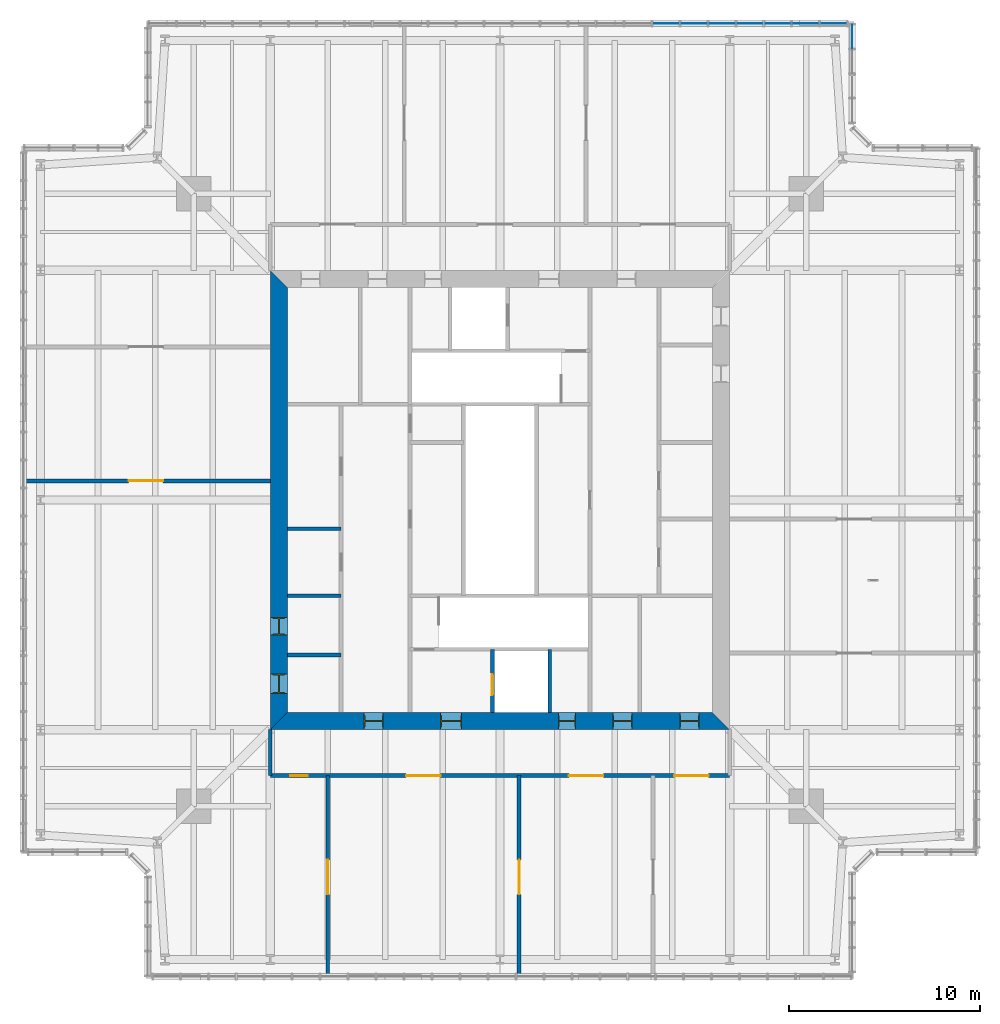
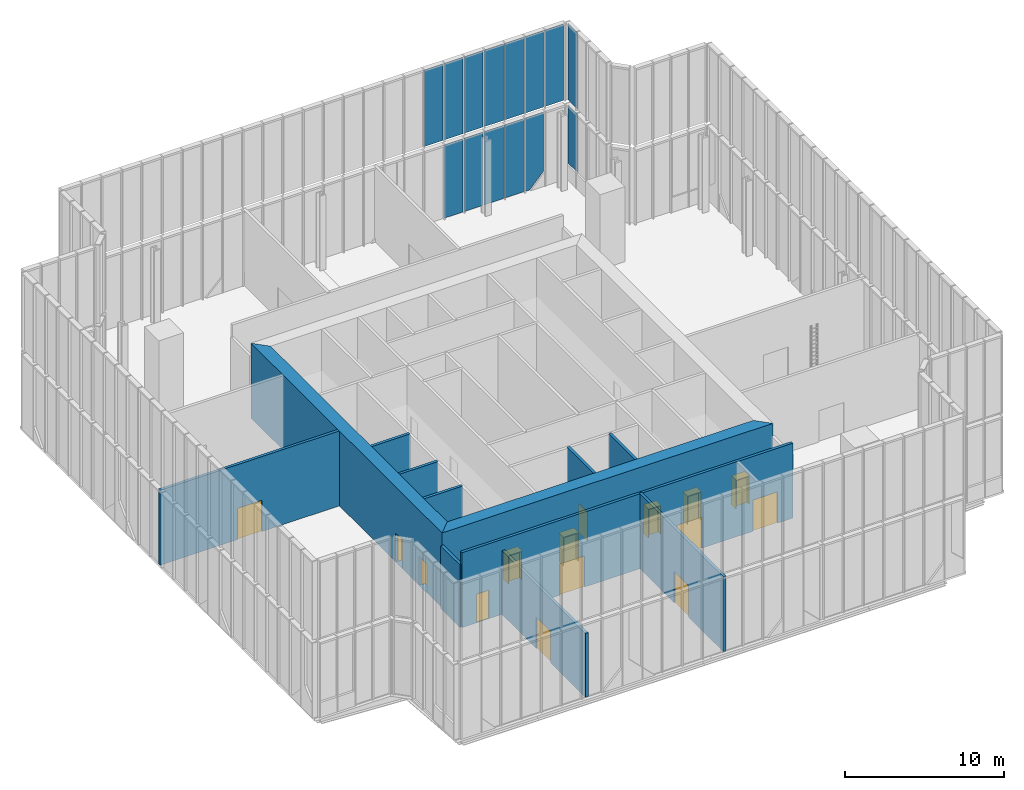
# One storey, part 17 of 25: 15 doors, 14 plates, 12 walls, 15 openings, 4 elements without a shape of their own.
"""IFC4 building model written with IfcOpenShell, lengths in metres."""

from ifc_helpers import new_model, si_unit, direction, frame, frame_2d, origin, origin_2d, place, context, subcontext, project, spatial, polyline, rectangle, outline, extrude, material, layer, layer_set, type_object, element, fill, aggregate, save


model = new_model("IFC4")

# Units and contexts
model_context = context("Model", 3, precision=1e-05, world=origin(), true_north=direction((0.0, 1.0)))
body_context = subcontext(model_context, "Body", "Model", "MODEL_VIEW")
ifc_project = project(units=[si_unit("LENGTHUNIT", "METRE"), si_unit("AREAUNIT", "SQUARE_METRE"), si_unit("VOLUMEUNIT", "CUBIC_METRE"), si_unit("PLANEANGLEUNIT", "RADIAN"), si_unit("MASSUNIT", "GRAM", prefix="KILO")], contexts=[model_context])

# Site, building, storey
site_placement = place(None, origin())
site = spatial("IfcSite", under=ifc_project, at=site_placement, CompositionType="ELEMENT")
building_placement = place(site_placement, origin())
building = spatial("IfcBuilding", under=site, at=building_placement, Name="Fenwick Lantern Interchange", CompositionType="ELEMENT")
storey_placement = place(building_placement, frame((0.0, 0.0, 307.800048828125)))
storey = spatial("IfcBuildingStorey", under=building, at=storey_placement, Name="L74", CompositionType="ELEMENT", Elevation=307.800048828125)

# Curtain wall, plate
ifc_material_1 = material(Name="Aluminium curtain wall frame", Category="aluminium")
curtain_wall_type = type_object("IfcCurtainWallType", Name="LANTERN GLAZING", PredefinedType="USERDEFINED", material=ifc_material_1)
curtain_wall_1_placement = place(storey_placement, origin())
curtain_wall_1 = element("IfcCurtainWall", 1, at=curtain_wall_1_placement, inside=storey, type_object=curtain_wall_type, Name="Lantern glazing 08", ObjectType="LANTERN GLAZING", PredefinedType="USERDEFINED")
ifc_material_2 = material(Name="Lantern glass, fritted laminated single glazing", Category="glass")
ifc_layer_1 = layer(ifc_material_2, 0.02197265625)
ifc_layer_set_1 = layer_set([ifc_layer_1], Name="LANTERN GLAZING PANEL 22")
plate_type = type_object("IfcPlateType", Name="LANTERN GLAZING PANEL 22", PredefinedType="CURTAIN_PANEL", material=ifc_layer_set_1)
plate_1_placement = place(storey_placement, frame((43.39990234375, 44.45849609375, 1.14990234375), z_axis=(0.0, 0.0, 1.0), x_axis=(0.0, 1.0, 0.0)))
plate_1 = element("IfcPlate", 2, at=plate_1_placement, type_object=plate_type, Name="L74/CW/08/P03a", PredefinedType="CURTAIN_PANEL", context=body_context, shape_type="SweptSolid", body=[
    extrude(outline(polyline([(4.151123046875, 0.0), (5.361328125, 0.0), (5.361328125, 4.4599609375), (4.151123046875, 4.4599609375), (4.151123046875, 0.0)])), frame((0.0, 0.010986328125, 0.0), z_axis=(0.0, -1.0, 0.0), x_axis=(1.0, 0.0, 0.0)), (0.0, 0.0, 1.0), 0.02197265625),
])
aggregate(curtain_wall_1, [plate_1])

# Curtain wall, plates
curtain_wall_2_placement = place(storey_placement, origin())
curtain_wall_2 = element("IfcCurtainWall", 3, at=curtain_wall_2_placement, inside=storey, type_object=curtain_wall_type, Name="Lantern glazing 09", ObjectType="LANTERN GLAZING", PredefinedType="USERDEFINED")
plate_2_placement = place(storey_placement, frame((43.39990234375, 49.89990234375, 0.0), z_axis=(0.0, 0.0, 1.0), x_axis=(-1.0, 0.0, 0.0)))
plate_2 = element("IfcPlate", 4, at=plate_2_placement, type_object=plate_type, Name="L74/CW/09/P01a", PredefinedType="CURTAIN_PANEL", context=body_context, shape_type="SweptSolid", body=[
    extrude(outline(polyline([(2.74609375, 0.0), (3.12158203125, 0.0), (3.12158203125, 5.60986328125), (1.74072265625, 5.60986328125), (1.74072265625, 1.096435546875), (2.74609375, 0.0)])), frame((0.0, 0.010986328125, 0.0), z_axis=(0.0, -1.0, 0.0), x_axis=(1.0, 0.0, 0.0)), (0.0, 0.0, 1.0), 0.02197265625),
])
plate_3_placement = place(storey_placement, frame((39.508056640625, 49.89990234375, 0.0), z_axis=(0.0, 0.0, 1.0), x_axis=(-1.0, 0.0, 0.0)))
plate_3 = element("IfcPlate", 5, at=plate_3_placement, type_object=plate_type, Name="L74/CW/09/P02", PredefinedType="CURTAIN_PANEL", context=body_context, shape_type="SweptSolid", body=[
    extrude(rectangle(XDim=1.380859375, YDim=0.02197265625, at=origin_2d()), origin(), (0.0, 0.0, 1.0), 5.610107421875),
])
plate_4_placement = place(storey_placement, frame((38.047119140625, 49.89990234375, 0.0), z_axis=(0.0, 0.0, 1.0), x_axis=(-1.0, 0.0, 0.0)))
plate_4 = element("IfcPlate", 6, at=plate_4_placement, type_object=plate_type, Name="L74/CW/09/P03", PredefinedType="CURTAIN_PANEL", context=body_context, shape_type="SweptSolid", body=[
    extrude(rectangle(XDim=1.380859375, YDim=0.02197265625, at=origin_2d()), origin(), (0.0, 0.0, 1.0), 5.610107421875),
])
plate_5_placement = place(storey_placement, frame((36.58642578125, 49.89990234375, 0.0), z_axis=(0.0, 0.0, 1.0), x_axis=(-1.0, 0.0, 0.0)))
plate_5 = element("IfcPlate", 7, at=plate_5_placement, type_object=plate_type, Name="L74/CW/09/P04", PredefinedType="CURTAIN_PANEL", context=body_context, shape_type="SweptSolid", body=[
    extrude(rectangle(XDim=1.380859375, YDim=0.02197265625, at=origin_2d()), origin(), (0.0, 0.0, 1.0), 5.610107421875),
])
plate_6_placement = place(storey_placement, frame((35.12548828125, 49.89990234375, 0.0), z_axis=(0.0, 0.0, 1.0), x_axis=(-1.0, 0.0, 0.0)))
plate_6 = element("IfcPlate", 8, at=plate_6_placement, type_object=plate_type, Name="L74/CW/09/P05", PredefinedType="CURTAIN_PANEL", context=body_context, shape_type="SweptSolid", body=[
    extrude(rectangle(XDim=1.380859375, YDim=0.02197265625, at=origin_2d()), origin(), (0.0, 0.0, 1.0), 5.610107421875),
])
aggregate(curtain_wall_2, [plate_2, plate_3, plate_4, plate_5, plate_6])

# Curtain wall, plate
curtain_wall_3_placement = place(storey_placement, origin())
curtain_wall_3 = element("IfcCurtainWall", 9, at=curtain_wall_3_placement, inside=storey, type_object=curtain_wall_type, Name="Lantern glazing 08", ObjectType="LANTERN GLAZING", PredefinedType="USERDEFINED")
plate_7_placement = place(storey_placement, frame((43.39990234375, 49.21484375, 6.0), z_axis=(0.0, 0.0, 1.0), x_axis=(0.0, 1.0, 0.0)))
plate_7 = element("IfcPlate", 10, at=plate_7_placement, type_object=plate_type, Name="RF/LANTERN/08/P03", PredefinedType="CURTAIN_PANEL", context=body_context, shape_type="SweptSolid", body=[
    extrude(rectangle(XDim=1.21044921875, YDim=0.02197265625, at=origin_2d()), origin(), (0.0, 0.0, 1.0), 5.860107421875),
])
aggregate(curtain_wall_3, [plate_7])

# Curtain wall, plates
curtain_wall_4_placement = place(storey_placement, origin())
curtain_wall_4 = element("IfcCurtainWall", 11, at=curtain_wall_4_placement, inside=storey, type_object=curtain_wall_type, Name="Lantern glazing 09", ObjectType="LANTERN GLAZING", PredefinedType="USERDEFINED")
plate_8_placement = place(storey_placement, frame((42.4296875, 49.89990234375, 6.0), z_axis=(0.0, 0.0, 1.0), x_axis=(-1.0, 0.0, 0.0)))
plate_8 = element("IfcPlate", 12, at=plate_8_placement, type_object=plate_type, Name="RF/LANTERN/09/P00", PredefinedType="CURTAIN_PANEL", context=body_context, shape_type="SweptSolid", body=[
    extrude(rectangle(XDim=1.380859375, YDim=0.02197265625, at=origin_2d()), origin(), (0.0, 0.0, 1.0), 5.860107421875),
])
plate_9_placement = place(storey_placement, frame((40.96875, 49.89990234375, 6.0), z_axis=(0.0, 0.0, 1.0), x_axis=(-1.0, 0.0, 0.0)))
plate_9 = element("IfcPlate", 13, at=plate_9_placement, type_object=plate_type, Name="RF/LANTERN/09/P01", PredefinedType="CURTAIN_PANEL", context=body_context, shape_type="SweptSolid", body=[
    extrude(rectangle(XDim=1.380859375, YDim=0.02197265625, at=origin_2d()), origin(), (0.0, 0.0, 1.0), 5.860107421875),
])
plate_10_placement = place(storey_placement, frame((39.508056640625, 49.89990234375, 6.0), z_axis=(0.0, 0.0, 1.0), x_axis=(-1.0, 0.0, 0.0)))
plate_10 = element("IfcPlate", 14, at=plate_10_placement, type_object=plate_type, Name="RF/LANTERN/09/P02", PredefinedType="CURTAIN_PANEL", context=body_context, shape_type="SweptSolid", body=[
    extrude(rectangle(XDim=1.380859375, YDim=0.02197265625, at=origin_2d()), origin(), (0.0, 0.0, 1.0), 5.860107421875),
])
plate_11_placement = place(storey_placement, frame((38.047119140625, 49.89990234375, 6.0), z_axis=(0.0, 0.0, 1.0), x_axis=(-1.0, 0.0, 0.0)))
plate_11 = element("IfcPlate", 15, at=plate_11_placement, type_object=plate_type, Name="RF/LANTERN/09/P03", PredefinedType="CURTAIN_PANEL", context=body_context, shape_type="SweptSolid", body=[
    extrude(rectangle(XDim=1.380859375, YDim=0.02197265625, at=origin_2d()), origin(), (0.0, 0.0, 1.0), 5.860107421875),
])
plate_12_placement = place(storey_placement, frame((36.58642578125, 49.89990234375, 6.0), z_axis=(0.0, 0.0, 1.0), x_axis=(-1.0, 0.0, 0.0)))
plate_12 = element("IfcPlate", 16, at=plate_12_placement, type_object=plate_type, Name="RF/LANTERN/09/P04", PredefinedType="CURTAIN_PANEL", context=body_context, shape_type="SweptSolid", body=[
    extrude(rectangle(XDim=1.380859375, YDim=0.02197265625, at=origin_2d()), origin(), (0.0, 0.0, 1.0), 5.860107421875),
])
plate_13_placement = place(storey_placement, frame((35.12548828125, 49.89990234375, 6.0), z_axis=(0.0, 0.0, 1.0), x_axis=(-1.0, 0.0, 0.0)))
plate_13 = element("IfcPlate", 17, at=plate_13_placement, type_object=plate_type, Name="RF/LANTERN/09/P05", PredefinedType="CURTAIN_PANEL", context=body_context, shape_type="SweptSolid", body=[
    extrude(rectangle(XDim=1.380859375, YDim=0.02197265625, at=origin_2d()), origin(), (0.0, 0.0, 1.0), 5.860107421875),
])
plate_14_placement = place(storey_placement, frame((33.664794921875, 49.89990234375, 6.0), z_axis=(0.0, 0.0, 1.0), x_axis=(-1.0, 0.0, 0.0)))
plate_14 = element("IfcPlate", 18, at=plate_14_placement, type_object=plate_type, Name="RF/LANTERN/09/P06", PredefinedType="CURTAIN_PANEL", context=body_context, shape_type="SweptSolid", body=[
    extrude(rectangle(XDim=1.380859375, YDim=0.02197265625, at=origin_2d()), origin(), (0.0, 0.0, 1.0), 5.860107421875),
])
aggregate(curtain_wall_4, [plate_8, plate_9, plate_10, plate_11, plate_12, plate_13, plate_14])

# Wall, opening, door
ifc_material_3 = material(Name="Concrete masonry ASTM C90 Grade N", Category="masonry")
ifc_layer_2 = layer(ifc_material_3, 0.199951171875)
ifc_layer_set_2 = layer_set([ifc_layer_2], Name="Concrete masonry ASTM C90 Grade N")
wall_type_1 = type_object("IfcWallType", Name="CORE PARTITION 200", PredefinedType="PARTITIONING", material=ifc_layer_set_2)
wall_1_placement = place(storey_placement, frame((24.60009765625, 13.89990234375, 0.0), z_axis=(0.0, 0.0, 1.0), x_axis=(0.0, 1.0, 0.0)))
wall_1 = element("IfcWall", 19, at=wall_1_placement, inside=storey, type_object=wall_type_1, Name="L74/W/CORES/h1", PredefinedType="PARTITIONING", context=body_context, shape_type="SweptSolid", body=[
    extrude(rectangle(XDim=3.300048828125, YDim=0.199951171875, at=frame_2d((1.64990234375, 0.0))), origin(), (0.0, 0.0, 1.0), 5.75),
])
opening_1_placement = place(wall_1_placement, frame((0.89990234375, 0.0, 0.0)))
opening_1 = element("IfcOpeningElement", 20, at=opening_1_placement, cuts=wall_1, Name="Opening LD-FL1", PredefinedType="OPENING", context=body_context, shape_type="SweptSolid", body=[
    extrude(rectangle(XDim=1.10009765625, YDim=2.199951171875, at=frame_2d((0.550048828125, 1.10009765625))), frame((0.0, 0.10986328125, 0.0), z_axis=(0.0, -1.0, 0.0), x_axis=(1.0, 0.0, 0.0)), (0.0, 0.0, 1.0), 0.219970703125),
])
ifc_material_4 = material(Name="Steel door and frame", Category="steel")
door_type_1 = type_object("IfcDoorType", Name="LIFT LANDING DOOR 1100 X 2200", OperationType="DOUBLE_DOOR_SLIDING", PredefinedType="DOOR", material=ifc_material_4)
door_1_placement = place(opening_1_placement, origin())
door_1 = element("IfcDoor", 21, at=door_1_placement, inside=storey, type_object=door_type_1, Name="Lift landing door FL1", OperationType="DOUBLE_DOOR_SLIDING", OverallHeight=2.199951171875, OverallWidth=1.10009765625, PredefinedType="DOOR", context=body_context, shape_type="SweptSolid", body=[
    extrude(rectangle(XDim=1.10009765625, YDim=2.199951171875, at=frame_2d((0.550048828125, 1.10009765625))), frame((0.0, 0.02490234375, 0.0), z_axis=(0.0, -1.0, 0.0), x_axis=(1.0, 0.0, 0.0)), (0.0, 0.0, 1.0), 0.050048828125),
])
fill(opening_1, door_1)

# Walls
wall_2_placement = place(storey_placement, frame((27.60009765625, 13.89990234375, 0.0), z_axis=(0.0, 0.0, 1.0), x_axis=(0.0, 1.0, 0.0)))
element("IfcWall", 22, at=wall_2_placement, inside=storey, type_object=wall_type_1, Name="L74/W/CORES/h2", PredefinedType="PARTITIONING", context=body_context, shape_type="SweptSolid", body=[
    extrude(rectangle(XDim=3.300048828125, YDim=0.199951171875, at=frame_2d((1.64990234375, 0.0))), origin(), (0.0, 0.0, 1.0), 5.75),
])
for number, where, z_axis, x_axis, name in (
    (23, (13.89990234375, 16.89990234375, 0.0), (0.0, 0.0, 1.0), (1.0, 0.0, 0.0), "L74/W/CORES/p1"),
    (24, (13.89990234375, 20.0, 0.0), (0.0, 0.0, 1.0), (1.0, 0.0, 0.0), "L74/W/CORES/p2"),
    (25, (13.89990234375, 23.5, 0.0), (0.0, 0.0, 1.0), (1.0, 0.0, 0.0), "L74/W/CORES/p3"),
):
    element("IfcWall", number, at=place(storey_placement, frame(where, z_axis=z_axis, x_axis=x_axis)), inside=storey, type_object=wall_type_1, Name=name, PredefinedType="PARTITIONING", context=body_context, shape_type="SweptSolid", body=[
        extrude(rectangle(XDim=2.800048828125, YDim=0.199951171875, at=frame_2d((1.39990234375, 0.0))), origin(), (0.0, 0.0, 1.0), 5.75),
    ])

# Wall, openings, doors
ifc_material_5 = material(Name="Concrete f'c 70 MPa", Category="concrete")
ifc_layer_3 = layer(ifc_material_5, 0.89990234375)
ifc_layer_set_3 = layer_set([ifc_layer_3], Name="CORE WALL 900")
wall_type_2 = type_object("IfcWallType", Name="CORE WALL 900", PredefinedType="SHEAR", material=ifc_layer_set_3)
wall_3_placement = place(storey_placement, frame((13.0, 13.449951171875, 0.0), z_axis=(0.0, 0.0, 1.0), x_axis=(1.0, 0.0, 0.0)))
wall_3 = element("IfcWall", 26, at=wall_3_placement, inside=storey, type_object=wall_type_2, Name="L74/CORE/S", PredefinedType="SHEAR", context=body_context, shape_type="SweptSolid", body=[
    extrude(outline(polyline([(0.0, -0.449951171875), (24.0, -0.449951171875), (23.10009765625, 0.449951171875), (0.89990234375, 0.449951171875), (0.0, -0.449951171875)])), origin(), (0.0, 0.0, 1.0), 5.75),
])
opening_2_placement = place(wall_3_placement, frame((4.89990234375, 0.0, 0.0)))
opening_2 = element("IfcOpeningElement", 27, at=opening_2_placement, cuts=wall_3, Name="Opening L74-D001", PredefinedType="OPENING", context=body_context, shape_type="SweptSolid", body=[
    extrude(rectangle(XDim=1.0, YDim=2.199951171875, at=frame_2d((0.5, 1.10009765625))), frame((0.0, 0.4599609375, 0.0), z_axis=(0.0, -1.0, 0.0), x_axis=(1.0, 0.0, 0.0)), (0.0, 0.0, 1.0), 0.919921875),
])
opening_3_placement = place(wall_3_placement, frame((8.89990234375, 0.0, 0.0)))
opening_3 = element("IfcOpeningElement", 28, at=opening_3_placement, cuts=wall_3, Name="Opening L74-D002", PredefinedType="OPENING", context=body_context, shape_type="SweptSolid", body=[
    extrude(rectangle(XDim=1.10009765625, YDim=2.199951171875, at=frame_2d((0.550048828125, 1.10009765625))), frame((0.0, 0.4599609375, 0.0), z_axis=(0.0, -1.0, 0.0), x_axis=(1.0, 0.0, 0.0)), (0.0, 0.0, 1.0), 0.919921875),
])
opening_4_placement = place(wall_3_placement, frame((15.050048828125, 0.0, 0.0)))
opening_4 = element("IfcOpeningElement", 29, at=opening_4_placement, cuts=wall_3, Name="Opening L74-D004", PredefinedType="OPENING", context=body_context, shape_type="SweptSolid", body=[
    extrude(rectangle(XDim=0.89990234375, YDim=2.199951171875, at=frame_2d((0.449951171875, 1.10009765625))), frame((0.0, 0.4599609375, 0.0), z_axis=(0.0, -1.0, 0.0), x_axis=(1.0, 0.0, 0.0)), (0.0, 0.0, 1.0), 0.919921875),
])
opening_5_placement = place(wall_3_placement, frame((17.89990234375, 0.0, 0.0)))
opening_5 = element("IfcOpeningElement", 30, at=opening_5_placement, cuts=wall_3, Name="Opening L74-D005", PredefinedType="OPENING", context=body_context, shape_type="SweptSolid", body=[
    extrude(rectangle(XDim=1.0, YDim=2.199951171875, at=frame_2d((0.5, 1.10009765625))), frame((0.0, 0.4599609375, 0.0), z_axis=(0.0, -1.0, 0.0), x_axis=(1.0, 0.0, 0.0)), (0.0, 0.0, 1.0), 0.919921875),
])
opening_6_placement = place(wall_3_placement, frame((21.39990234375, 0.0, 0.0)))
opening_6 = element("IfcOpeningElement", 31, at=opening_6_placement, cuts=wall_3, Name="Opening L74-D006", PredefinedType="OPENING", context=body_context, shape_type="SweptSolid", body=[
    extrude(rectangle(XDim=1.0, YDim=2.199951171875, at=frame_2d((0.5, 1.10009765625))), frame((0.0, 0.4599609375, 0.0), z_axis=(0.0, -1.0, 0.0), x_axis=(1.0, 0.0, 0.0)), (0.0, 0.0, 1.0), 0.919921875),
])
door_type_2 = type_object("IfcDoorType", Name="CORE LOBBY DOOR 1000 X 2200", OperationType="SINGLE_SWING_LEFT", PredefinedType="DOOR", material=ifc_material_4)
door_2_placement = place(opening_2_placement, origin())
door_2 = element("IfcDoor", 32, at=door_2_placement, inside=storey, type_object=door_type_2, Name="Core lobby door", OperationType="SINGLE_SWING_LEFT", OverallHeight=2.199951171875, OverallWidth=1.0, PredefinedType="DOOR", context=body_context, shape_type="SweptSolid", body=[
    extrude(rectangle(XDim=1.0, YDim=2.199951171875, at=frame_2d((0.5, 1.10009765625))), frame((0.0, 0.02490234375, 0.0), z_axis=(0.0, -1.0, 0.0), x_axis=(1.0, 0.0, 0.0)), (0.0, 0.0, 1.0), 0.050048828125),
    extrude(outline(polyline([(0.0, 0.0), (0.0400390625, 0.0), (0.0400390625, 2.159912109375), (0.9599609375, 2.159912109375), (0.9599609375, 0.0), (1.0, 0.0), (1.0, 2.199951171875), (0.0, 2.199951171875), (0.0, 0.0)])), frame((0.0, 0.300048828125, 0.0), z_axis=(0.0, -1.0, 0.0), x_axis=(1.0, 0.0, 0.0)), (0.0, 0.0, 1.0), 0.60009765625),
])
fill(opening_2, door_2)
door_type_3 = type_object("IfcDoorType", Name="FIRE LOBBY DOOR 1100 X 2200", OperationType="SINGLE_SWING_LEFT", PredefinedType="DOOR", material=ifc_material_4)
door_3_placement = place(opening_3_placement, origin())
door_3 = element("IfcDoor", 33, at=door_3_placement, inside=storey, type_object=door_type_3, Name="Fire lobby door", OperationType="SINGLE_SWING_LEFT", OverallHeight=2.199951171875, OverallWidth=1.10009765625, PredefinedType="DOOR", context=body_context, shape_type="SweptSolid", body=[
    extrude(rectangle(XDim=1.10009765625, YDim=2.199951171875, at=frame_2d((0.550048828125, 1.10009765625))), frame((0.0, 0.02490234375, 0.0), z_axis=(0.0, -1.0, 0.0), x_axis=(1.0, 0.0, 0.0)), (0.0, 0.0, 1.0), 0.050048828125),
    extrude(outline(polyline([(0.0, 0.0), (0.0400390625, 0.0), (0.0400390625, 2.159912109375), (1.06005859375, 2.159912109375), (1.06005859375, 0.0), (1.10009765625, 0.0), (1.10009765625, 2.199951171875), (0.0, 2.199951171875), (0.0, 0.0)])), frame((0.0, 0.300048828125, 0.0), z_axis=(0.0, -1.0, 0.0), x_axis=(1.0, 0.0, 0.0)), (0.0, 0.0, 1.0), 0.60009765625),
])
fill(opening_3, door_3)
door_type_4 = type_object("IfcDoorType", Name="SERVICE DOOR 900 X 2200", OperationType="SINGLE_SWING_LEFT", PredefinedType="DOOR", material=ifc_material_4)
door_4_placement = place(opening_4_placement, origin())
door_4 = element("IfcDoor", 34, at=door_4_placement, inside=storey, type_object=door_type_4, Name="Service door", OperationType="SINGLE_SWING_LEFT", OverallHeight=2.199951171875, OverallWidth=0.89990234375, PredefinedType="DOOR", context=body_context, shape_type="SweptSolid", body=[
    extrude(rectangle(XDim=0.89990234375, YDim=2.199951171875, at=frame_2d((0.449951171875, 1.10009765625))), frame((0.0, 0.02490234375, 0.0), z_axis=(0.0, -1.0, 0.0), x_axis=(1.0, 0.0, 0.0)), (0.0, 0.0, 1.0), 0.050048828125),
    extrude(outline(polyline([(0.0, 0.0), (0.0400390625, 0.0), (0.0400390625, 2.159912109375), (0.85986328125, 2.159912109375), (0.85986328125, 0.0), (0.89990234375, 0.0), (0.89990234375, 2.199951171875), (0.0, 2.199951171875), (0.0, 0.0)])), frame((0.0, 0.300048828125, 0.0), z_axis=(0.0, -1.0, 0.0), x_axis=(1.0, 0.0, 0.0)), (0.0, 0.0, 1.0), 0.60009765625),
])
fill(opening_4, door_4)
ifc_material_6 = material(Name="Hardwood door and steel frame", Category="steel")
door_type_5 = type_object("IfcDoorType", Name="WC DOOR 1000 X 2200", OperationType="SINGLE_SWING_LEFT", PredefinedType="DOOR", material=ifc_material_6)
door_5_placement = place(opening_5_placement, origin())
door_5 = element("IfcDoor", 35, at=door_5_placement, inside=storey, type_object=door_type_5, Name="Wc door", OperationType="SINGLE_SWING_RIGHT", OverallHeight=2.199951171875, OverallWidth=1.0, PredefinedType="DOOR", context=body_context, shape_type="SweptSolid", body=[
    extrude(rectangle(XDim=1.0, YDim=2.199951171875, at=frame_2d((0.5, 1.10009765625))), frame((0.0, 0.02490234375, 0.0), z_axis=(0.0, -1.0, 0.0), x_axis=(1.0, 0.0, 0.0)), (0.0, 0.0, 1.0), 0.050048828125),
    extrude(outline(polyline([(0.0, 0.0), (0.0400390625, 0.0), (0.0400390625, 2.159912109375), (0.9599609375, 2.159912109375), (0.9599609375, 0.0), (1.0, 0.0), (1.0, 2.199951171875), (0.0, 2.199951171875), (0.0, 0.0)])), frame((0.0, 0.300048828125, 0.0), z_axis=(0.0, -1.0, 0.0), x_axis=(1.0, 0.0, 0.0)), (0.0, 0.0, 1.0), 0.60009765625),
])
fill(opening_5, door_5)
door_6_placement = place(opening_6_placement, origin())
door_6 = element("IfcDoor", 36, at=door_6_placement, inside=storey, type_object=door_type_5, Name="Wc door", OperationType="SINGLE_SWING_RIGHT", OverallHeight=2.199951171875, OverallWidth=1.0, PredefinedType="DOOR", context=body_context, shape_type="SweptSolid", body=[
    extrude(rectangle(XDim=1.0, YDim=2.199951171875, at=frame_2d((0.5, 1.10009765625))), frame((0.0, 0.02490234375, 0.0), z_axis=(0.0, -1.0, 0.0), x_axis=(1.0, 0.0, 0.0)), (0.0, 0.0, 1.0), 0.050048828125),
    extrude(outline(polyline([(0.0, 0.0), (0.0400390625, 0.0), (0.0400390625, 2.159912109375), (0.9599609375, 2.159912109375), (0.9599609375, 0.0), (1.0, 0.0), (1.0, 2.199951171875), (0.0, 2.199951171875), (0.0, 0.0)])), frame((0.0, 0.300048828125, 0.0), z_axis=(0.0, -1.0, 0.0), x_axis=(1.0, 0.0, 0.0)), (0.0, 0.0, 1.0), 0.60009765625),
])
fill(opening_6, door_6)

wall_4_placement = place(storey_placement, frame((13.449951171875, 36.10009765625, 0.0), z_axis=(0.0, 0.0, 1.0), x_axis=(0.0, -1.0, 0.0)))
wall_4 = element("IfcWall", 37, at=wall_4_placement, inside=storey, type_object=wall_type_2, Name="L74/CORE/W", PredefinedType="SHEAR", context=body_context, shape_type="SweptSolid", body=[
    extrude(outline(polyline([(-0.89990234375, -0.449951171875), (23.10009765625, -0.449951171875), (22.199951171875, 0.449951171875), (0.0, 0.449951171875), (-0.89990234375, -0.449951171875)])), origin(), (0.0, 0.0, 1.0), 5.75),
])
opening_7_placement = place(wall_4_placement, frame((20.199951171875, 0.0, 0.0)))
opening_7 = element("IfcOpeningElement", 38, at=opening_7_placement, cuts=wall_4, Name="Opening L74-D007", PredefinedType="OPENING", context=body_context, shape_type="SweptSolid", body=[
    extrude(rectangle(XDim=1.0, YDim=2.199951171875, at=frame_2d((0.5, 1.10009765625))), frame((0.0, 0.4599609375, 0.0), z_axis=(0.0, -1.0, 0.0), x_axis=(1.0, 0.0, 0.0)), (0.0, 0.0, 1.0), 0.919921875),
])
opening_8_placement = place(wall_4_placement, frame((17.25, 0.0, 0.0)))
opening_8 = element("IfcOpeningElement", 39, at=opening_8_placement, cuts=wall_4, Name="Opening L74-D008", PredefinedType="OPENING", context=body_context, shape_type="SweptSolid", body=[
    extrude(rectangle(XDim=0.89990234375, YDim=2.199951171875, at=frame_2d((0.449951171875, 1.10009765625))), frame((0.0, 0.4599609375, 0.0), z_axis=(0.0, -1.0, 0.0), x_axis=(1.0, 0.0, 0.0)), (0.0, 0.0, 1.0), 0.919921875),
])
door_7_placement = place(opening_8_placement, origin())
door_7 = element("IfcDoor", 40, at=door_7_placement, inside=storey, type_object=door_type_4, Name="Service door", OperationType="SINGLE_SWING_RIGHT", OverallHeight=2.199951171875, OverallWidth=0.89990234375, PredefinedType="DOOR", context=body_context, shape_type="SweptSolid", body=[
    extrude(rectangle(XDim=0.89990234375, YDim=2.199951171875, at=frame_2d((0.449951171875, 1.10009765625))), frame((0.0, 0.02490234375, 0.0), z_axis=(0.0, -1.0, 0.0), x_axis=(1.0, 0.0, 0.0)), (0.0, 0.0, 1.0), 0.050048828125),
    extrude(outline(polyline([(0.0, 0.0), (0.0400390625, 0.0), (0.0400390625, 2.159912109375), (0.85986328125, 2.159912109375), (0.85986328125, 0.0), (0.89990234375, 0.0), (0.89990234375, 2.199951171875), (0.0, 2.199951171875), (0.0, 0.0)])), frame((0.0, 0.300048828125, 0.0), z_axis=(0.0, -1.0, 0.0), x_axis=(1.0, 0.0, 0.0)), (0.0, 0.0, 1.0), 0.60009765625),
])
fill(opening_8, door_7)
door_8_placement = place(opening_7_placement, origin())
door_8 = element("IfcDoor", 41, at=door_8_placement, inside=storey, type_object=door_type_5, Name="Wc door", OperationType="SINGLE_SWING_LEFT", OverallHeight=2.199951171875, OverallWidth=1.0, PredefinedType="DOOR", context=body_context, shape_type="SweptSolid", body=[
    extrude(rectangle(XDim=1.0, YDim=2.199951171875, at=frame_2d((0.5, 1.10009765625))), frame((0.0, 0.02490234375, 0.0), z_axis=(0.0, -1.0, 0.0), x_axis=(1.0, 0.0, 0.0)), (0.0, 0.0, 1.0), 0.050048828125),
    extrude(outline(polyline([(0.0, 0.0), (0.0400390625, 0.0), (0.0400390625, 2.159912109375), (0.9599609375, 2.159912109375), (0.9599609375, 0.0), (1.0, 0.0), (1.0, 2.199951171875), (0.0, 2.199951171875), (0.0, 0.0)])), frame((0.0, 0.300048828125, 0.0), z_axis=(0.0, -1.0, 0.0), x_axis=(1.0, 0.0, 0.0)), (0.0, 0.0, 1.0), 0.60009765625),
])
fill(opening_7, door_8)

ifc_layer_4 = layer(ifc_material_3, 0.199951171875)
ifc_layer_set_4 = layer_set([ifc_layer_4], Name="Concrete masonry ASTM C90 Grade N")
wall_type_3 = type_object("IfcWallType", Name="PLANT ROOM WALL 200", PredefinedType="PARTITIONING", material=ifc_layer_set_4)
wall_5_placement = place(storey_placement, frame((13.0, 10.60009765625, 0.0), z_axis=(0.0, 0.0, 1.0), x_axis=(1.0, 0.0, 0.0)))
wall_5 = element("IfcWall", 42, at=wall_5_placement, inside=storey, type_object=wall_type_3, Name="L74/W/FLOOR/PCS-W", PredefinedType="PARTITIONING", context=body_context, shape_type="SweptSolid", body=[
    extrude(rectangle(XDim=24.0, YDim=0.199951171875, at=frame_2d((12.0, 0.0))), origin(), (0.0, 0.0, 1.0), 5.75),
])
opening_9_placement = place(wall_5_placement, frame((1.050048828125, 0.0, 0.0)))
opening_9 = element("IfcOpeningElement", 43, at=opening_9_placement, cuts=wall_5, Name="Opening L74-D033", PredefinedType="OPENING", context=body_context, shape_type="SweptSolid", body=[
    extrude(rectangle(XDim=0.89990234375, YDim=2.199951171875, at=frame_2d((0.449951171875, 1.10009765625))), frame((0.0, 0.10986328125, 0.0), z_axis=(0.0, -1.0, 0.0), x_axis=(1.0, 0.0, 0.0)), (0.0, 0.0, 1.0), 0.219970703125),
])
opening_10_placement = place(wall_5_placement, frame((7.10009765625, 0.0, 0.0)))
opening_10 = element("IfcOpeningElement", 44, at=opening_10_placement, cuts=wall_5, Name="Opening L74-D034", PredefinedType="OPENING", context=body_context, shape_type="SweptSolid", body=[
    extrude(rectangle(XDim=1.800048828125, YDim=2.39990234375, at=frame_2d((0.89990234375, 1.199951171875))), frame((0.0, 0.10986328125, 0.0), z_axis=(0.0, -1.0, 0.0), x_axis=(1.0, 0.0, 0.0)), (0.0, 0.0, 1.0), 0.219970703125),
])
opening_11_placement = place(wall_5_placement, frame((15.60009765625, 0.0, 0.0)))
opening_11 = element("IfcOpeningElement", 45, at=opening_11_placement, cuts=wall_5, Name="Opening L74-D035", PredefinedType="OPENING", context=body_context, shape_type="SweptSolid", body=[
    extrude(rectangle(XDim=1.800048828125, YDim=2.39990234375, at=frame_2d((0.89990234375, 1.199951171875))), frame((0.0, 0.10986328125, 0.0), z_axis=(0.0, -1.0, 0.0), x_axis=(1.0, 0.0, 0.0)), (0.0, 0.0, 1.0), 0.219970703125),
])
opening_12_placement = place(wall_5_placement, frame((21.10009765625, 0.0, 0.0)))
opening_12 = element("IfcOpeningElement", 46, at=opening_12_placement, cuts=wall_5, Name="Opening L74-D036", PredefinedType="OPENING", context=body_context, shape_type="SweptSolid", body=[
    extrude(rectangle(XDim=1.800048828125, YDim=2.39990234375, at=frame_2d((0.89990234375, 1.199951171875))), frame((0.0, 0.10986328125, 0.0), z_axis=(0.0, -1.0, 0.0), x_axis=(1.0, 0.0, 0.0)), (0.0, 0.0, 1.0), 0.219970703125),
])
door_type_6 = type_object("IfcDoorType", Name="ROOM DOOR PAIR 1800 X 2400", OperationType="DOUBLE_DOOR_SINGLE_SWING", PredefinedType="DOOR", material=ifc_material_4)
door_9_placement = place(opening_10_placement, origin())
door_9 = element("IfcDoor", 47, at=door_9_placement, inside=storey, type_object=door_type_6, Name="Room door pair", OperationType="DOUBLE_DOOR_SINGLE_SWING", OverallHeight=2.39990234375, OverallWidth=1.800048828125, PredefinedType="DOOR", context=body_context, shape_type="SweptSolid", body=[
    extrude(rectangle(XDim=1.800048828125, YDim=2.39990234375, at=frame_2d((0.89990234375, 1.199951171875))), frame((0.0, 0.02490234375, 0.0), z_axis=(0.0, -1.0, 0.0), x_axis=(1.0, 0.0, 0.0)), (0.0, 0.0, 1.0), 0.050048828125),
])
fill(opening_10, door_9)
door_10_placement = place(opening_11_placement, origin())
door_10 = element("IfcDoor", 48, at=door_10_placement, inside=storey, type_object=door_type_6, Name="Room door pair", OperationType="DOUBLE_DOOR_SINGLE_SWING", OverallHeight=2.39990234375, OverallWidth=1.800048828125, PredefinedType="DOOR", context=body_context, shape_type="SweptSolid", body=[
    extrude(rectangle(XDim=1.800048828125, YDim=2.39990234375, at=frame_2d((0.89990234375, 1.199951171875))), frame((0.0, 0.02490234375, 0.0), z_axis=(0.0, -1.0, 0.0), x_axis=(1.0, 0.0, 0.0)), (0.0, 0.0, 1.0), 0.050048828125),
])
fill(opening_11, door_10)
door_11_placement = place(opening_12_placement, origin())
door_11 = element("IfcDoor", 49, at=door_11_placement, inside=storey, type_object=door_type_6, Name="Room door pair", OperationType="DOUBLE_DOOR_SINGLE_SWING", OverallHeight=2.39990234375, OverallWidth=1.800048828125, PredefinedType="DOOR", context=body_context, shape_type="SweptSolid", body=[
    extrude(rectangle(XDim=1.800048828125, YDim=2.39990234375, at=frame_2d((0.89990234375, 1.199951171875))), frame((0.0, 0.02490234375, 0.0), z_axis=(0.0, -1.0, 0.0), x_axis=(1.0, 0.0, 0.0)), (0.0, 0.0, 1.0), 0.050048828125),
])
fill(opening_12, door_11)
door_12_placement = place(opening_9_placement, frame((0.89990234375, 0.0, 0.0), z_axis=(0.0, 0.0, 1.0), x_axis=(-1.0, 0.0, 0.0)))
door_12 = element("IfcDoor", 50, at=door_12_placement, inside=storey, type_object=door_type_4, Name="Service door", OperationType="SINGLE_SWING_LEFT", OverallHeight=2.199951171875, OverallWidth=0.89990234375, PredefinedType="DOOR", context=body_context, shape_type="SweptSolid", body=[
    extrude(rectangle(XDim=0.89990234375, YDim=2.199951171875, at=frame_2d((0.449951171875, 1.10009765625))), frame((0.0, 0.02490234375, 0.0), z_axis=(0.0, -1.0, 0.0), x_axis=(1.0, 0.0, 0.0)), (0.0, 0.0, 1.0), 0.050048828125),
])
fill(opening_9, door_12)

# Wall
wall_6_placement = place(storey_placement, frame((13.0, 10.60009765625, 0.0), z_axis=(0.0, 0.0, 1.0), x_axis=(0.0, 1.0, 0.0)))
element("IfcWall", 51, at=wall_6_placement, inside=storey, type_object=wall_type_3, Name="L74/W/FLOOR/PCS-A", PredefinedType="PARTITIONING", context=body_context, shape_type="SweptSolid", body=[
    extrude(rectangle(XDim=2.39990234375, YDim=0.199951171875, at=frame_2d((1.199951171875, 0.0))), origin(), (0.0, 0.0, 1.0), 4.802490234375),
])

# Wall, opening, door
wall_7_placement = place(storey_placement, frame((16.0, 0.0, 0.0), z_axis=(0.0, 0.0, 1.0), x_axis=(0.0, 1.0, 0.0)))
wall_7 = element("IfcWall", 52, at=wall_7_placement, inside=storey, type_object=wall_type_3, Name="L74/W/FLOOR/PW1", PredefinedType="PARTITIONING", context=body_context, shape_type="SweptSolid", body=[
    extrude(rectangle(XDim=10.60009765625, YDim=0.199951171875, at=frame_2d((5.300048828125, 0.0))), origin(), (0.0, 0.0, 1.0), 4.904052734375),
])
opening_13_placement = place(wall_7_placement, frame((4.39990234375, 0.0, 0.0)))
opening_13 = element("IfcOpeningElement", 53, at=opening_13_placement, cuts=wall_7, Name="Opening L74-D024", PredefinedType="OPENING", context=body_context, shape_type="SweptSolid", body=[
    extrude(rectangle(XDim=1.800048828125, YDim=2.39990234375, at=frame_2d((0.89990234375, 1.199951171875))), frame((0.0, 0.10986328125, 0.0), z_axis=(0.0, -1.0, 0.0), x_axis=(1.0, 0.0, 0.0)), (0.0, 0.0, 1.0), 0.219970703125),
])
door_13_placement = place(opening_13_placement, frame((1.800048828125, 0.0, 0.0), z_axis=(0.0, 0.0, 1.0), x_axis=(-1.0, 0.0, 0.0)))
door_13 = element("IfcDoor", 54, at=door_13_placement, inside=storey, type_object=door_type_6, Name="Room door pair", OperationType="DOUBLE_DOOR_SINGLE_SWING", OverallHeight=2.39990234375, OverallWidth=1.800048828125, PredefinedType="DOOR", context=body_context, shape_type="SweptSolid", body=[
    extrude(rectangle(XDim=1.800048828125, YDim=2.39990234375, at=frame_2d((0.89990234375, 1.199951171875))), frame((0.0, 0.02490234375, 0.0), z_axis=(0.0, -1.0, 0.0), x_axis=(1.0, 0.0, 0.0)), (0.0, 0.0, 1.0), 0.050048828125),
])
fill(opening_13, door_13)

wall_8_placement = place(storey_placement, frame((26.0, 0.0, 0.0), z_axis=(0.0, 0.0, 1.0), x_axis=(0.0, 1.0, 0.0)))
wall_8 = element("IfcWall", 55, at=wall_8_placement, inside=storey, type_object=wall_type_3, Name="L74/W/FLOOR/PW2", PredefinedType="PARTITIONING", context=body_context, shape_type="SweptSolid", body=[
    extrude(rectangle(XDim=10.60009765625, YDim=0.199951171875, at=frame_2d((5.300048828125, 0.0))), origin(), (0.0, 0.0, 1.0), 5.75),
])
opening_14_placement = place(wall_8_placement, frame((4.39990234375, 0.0, 0.0)))
opening_14 = element("IfcOpeningElement", 56, at=opening_14_placement, cuts=wall_8, Name="Opening L74-D025", PredefinedType="OPENING", context=body_context, shape_type="SweptSolid", body=[
    extrude(rectangle(XDim=1.800048828125, YDim=2.39990234375, at=frame_2d((0.89990234375, 1.199951171875))), frame((0.0, 0.10986328125, 0.0), z_axis=(0.0, -1.0, 0.0), x_axis=(1.0, 0.0, 0.0)), (0.0, 0.0, 1.0), 0.219970703125),
])
door_14_placement = place(opening_14_placement, frame((1.800048828125, 0.0, 0.0), z_axis=(0.0, 0.0, 1.0), x_axis=(-1.0, 0.0, 0.0)))
door_14 = element("IfcDoor", 57, at=door_14_placement, inside=storey, type_object=door_type_6, Name="Room door pair", OperationType="DOUBLE_DOOR_SINGLE_SWING", OverallHeight=2.39990234375, OverallWidth=1.800048828125, PredefinedType="DOOR", context=body_context, shape_type="SweptSolid", body=[
    extrude(rectangle(XDim=1.800048828125, YDim=2.39990234375, at=frame_2d((0.89990234375, 1.199951171875))), frame((0.0, 0.02490234375, 0.0), z_axis=(0.0, -1.0, 0.0), x_axis=(1.0, 0.0, 0.0)), (0.0, 0.0, 1.0), 0.050048828125),
])
fill(opening_14, door_14)

wall_9_placement = place(storey_placement, frame((0.0, 26.0, 0.0), z_axis=(0.0, 0.0, 1.0), x_axis=(1.0, 0.0, 0.0)))
wall_9 = element("IfcWall", 58, at=wall_9_placement, inside=storey, type_object=wall_type_3, Name="L74/W/FLOOR/PW8", PredefinedType="PARTITIONING", context=body_context, shape_type="SweptSolid", body=[
    extrude(rectangle(XDim=13.0, YDim=0.199951171875, at=frame_2d((6.5, 0.0))), origin(), (0.0, 0.0, 1.0), 5.75),
])
opening_15_placement = place(wall_9_placement, frame((5.60009765625, 0.0, 0.0)))
opening_15 = element("IfcOpeningElement", 59, at=opening_15_placement, cuts=wall_9, Name="Opening L74-D031", PredefinedType="OPENING", context=body_context, shape_type="SweptSolid", body=[
    extrude(rectangle(XDim=1.800048828125, YDim=2.39990234375, at=frame_2d((0.89990234375, 1.199951171875))), frame((0.0, 0.10986328125, 0.0), z_axis=(0.0, -1.0, 0.0), x_axis=(1.0, 0.0, 0.0)), (0.0, 0.0, 1.0), 0.219970703125),
])
door_15_placement = place(opening_15_placement, origin())
door_15 = element("IfcDoor", 60, at=door_15_placement, inside=storey, type_object=door_type_6, Name="Room door pair", OperationType="DOUBLE_DOOR_SINGLE_SWING", OverallHeight=2.39990234375, OverallWidth=1.800048828125, PredefinedType="DOOR", context=body_context, shape_type="SweptSolid", body=[
    extrude(rectangle(XDim=1.800048828125, YDim=2.39990234375, at=frame_2d((0.89990234375, 1.199951171875))), frame((0.0, 0.02490234375, 0.0), z_axis=(0.0, -1.0, 0.0), x_axis=(1.0, 0.0, 0.0)), (0.0, 0.0, 1.0), 0.050048828125),
])
fill(opening_15, door_15)

save(model, "model.ifc")
